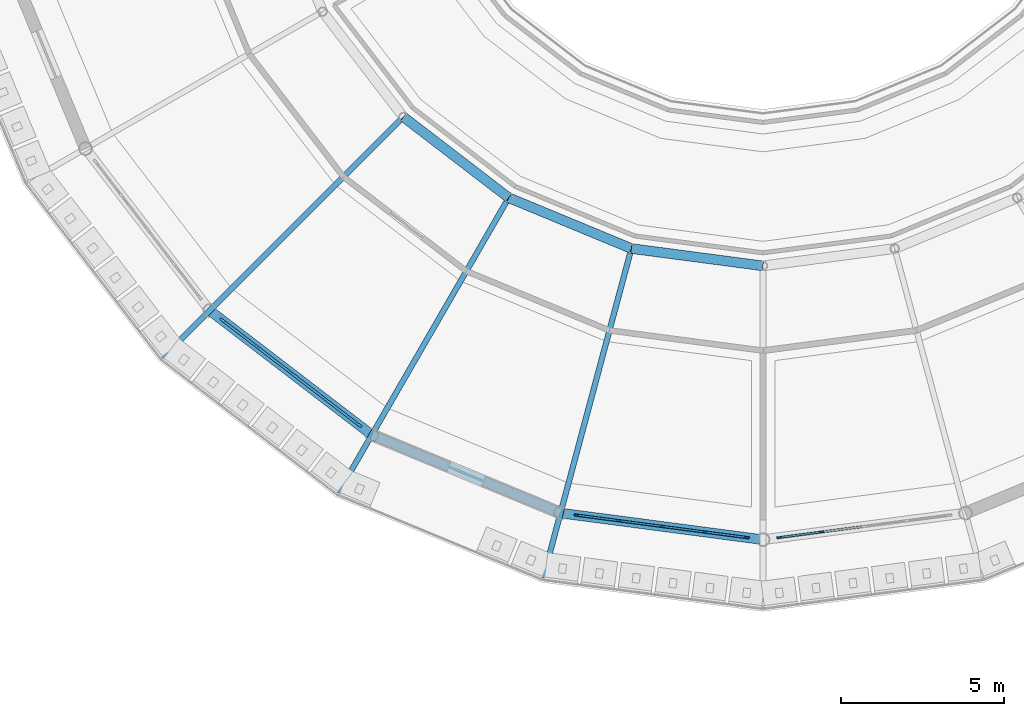
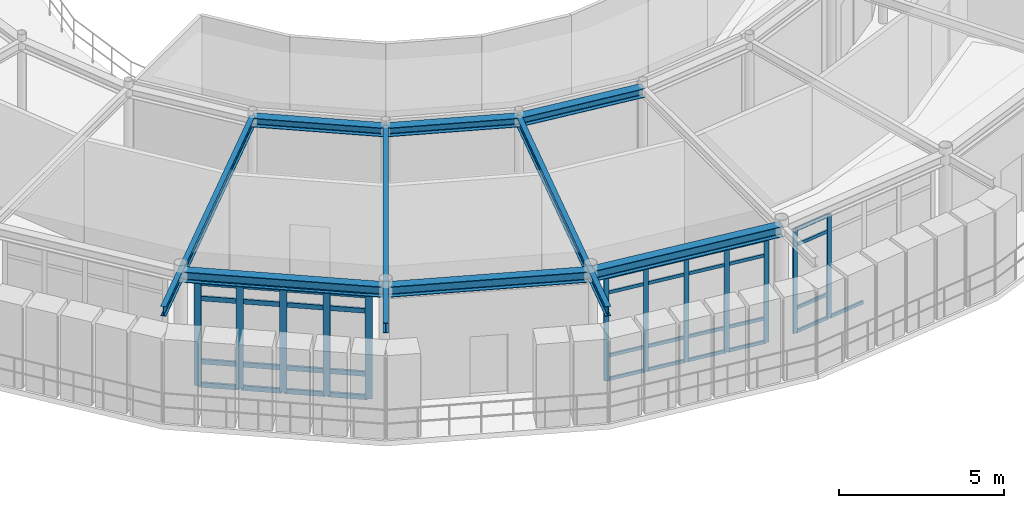
# One storey, part 37 of 106: 49 members, 9 beams, 3 elements without a shape of their own.
"""IFC4 building model written with IfcOpenShell, lengths in metres."""

from ifc_helpers import new_model, si_unit, derived_unit, direction, frame, origin, origin_2d, place, context, subcontext, project, spatial, rectangle, i_section, extrude, material, layer, layer_set, material_profile, profile_set, type_object, element, aggregate, save


model = new_model("IFC4")

# Units and contexts
model_context = context("Model", 3, precision=1e-05, world=origin(), true_north=direction((0.0, 1.0)))
body_context = subcontext(model_context, "Body", "Model", "MODEL_VIEW")
ifc_project = project(units=[si_unit("LENGTHUNIT", "METRE"), si_unit("AREAUNIT", "SQUARE_METRE"), si_unit("VOLUMEUNIT", "CUBIC_METRE"), si_unit("PLANEANGLEUNIT", "RADIAN"), si_unit("MASSUNIT", "GRAM", prefix="KILO"), derived_unit("THERMALTRANSMITTANCEUNIT", [(si_unit("POWERUNIT", "WATT"), 1), (si_unit("AREAUNIT", "SQUARE_METRE"), -1), (si_unit("THERMODYNAMICTEMPERATUREUNIT", "KELVIN"), -1)])], contexts=[model_context])

# Site, building, storey
site_placement = place(None, origin())
site = spatial("IfcSite", under=ifc_project, at=site_placement, CompositionType="ELEMENT")
building_placement = place(site_placement, origin())
building = spatial("IfcBuilding", under=site, at=building_placement, Name="Yasenodar Specialist Clinic", CompositionType="ELEMENT")
storey_placement = place(building_placement, frame((0.0, 0.0, 4.5)))
storey = spatial("IfcBuildingStorey", under=building, at=storey_placement, Name="L01", CompositionType="ELEMENT", Elevation=4.5)

# Beams
ifc_material_1 = material(Name="Steel S355", Category="steel")
ifc_material_profile_1 = material_profile(ifc_material_1, i_section(OverallWidth=0.300048828125, OverallDepth=0.330078125, WebThickness=0.009521484375, FlangeThickness=0.0166015625, FilletRadius=0.027099609375, at=origin_2d()), Name="HEA 340")
ifc_profile_set_1 = profile_set([ifc_material_profile_1], Name="Steel S355")
beam_type_1 = type_object("IfcBeamType", Name="BM-HEA340", PredefinedType="BEAM", material=ifc_profile_set_1)
for number, where, z_axis, x_axis, name in (
    (1, (69.968994140625, 47.76904296875, 4.0849609375), (0.793376657722, -0.608731039936, 0.0), (0.608731039936, 0.793376657722, 0.0), "L01 Drum V1 Inner Ring Beam"),
    (2, (73.199951171875, 45.2900390625, 4.0849609375), (0.92388896868, -0.382660650645, 0.0), (0.382660650645, 0.92388896868, 0.0), "L01 Drum V1 Inner Ring Beam"),
    (3, (76.96240234375, 43.731689453125, 4.0849609375), (0.991439189385, -0.130569268018, 0.0), (0.130569268018, 0.991439189385, 0.0), "L01 Drum V1 Inner Ring Beam"),
):
    element("IfcBeam", number, at=place(storey_placement, frame(where, z_axis=z_axis, x_axis=x_axis)), inside=storey, type_object=beam_type_1, Name=name, PredefinedType="BEAM", context=body_context, shape_type="SweptSolid", body=[
        extrude(i_section(OverallWidth=0.300048828125, OverallDepth=0.330078125, WebThickness=0.009521484375, FlangeThickness=0.0166015625, FilletRadius=0.027099609375, at=origin_2d()), origin(), (0.0, 0.0, 1.0), 4.072509765625),
    ])
ifc_material_profile_2 = material_profile(ifc_material_1, i_section(OverallWidth=0.300048828125, OverallDepth=0.389892578125, WebThickness=0.010986328125, FlangeThickness=0.01904296875, FilletRadius=0.027099609375, at=origin_2d()), Name="HEA 400")
ifc_profile_set_2 = profile_set([ifc_material_profile_2], Name="Steel S355")
beam_type_2 = type_object("IfcBeamType", Name="BM-HEA400", PredefinedType="BEAM", material=ifc_profile_set_2)
beam_1_placement = place(storey_placement, frame((64.029296875, 41.829345703125, 4.054931640625), z_axis=(0.793367971845, -0.608742360322, 0.0), x_axis=(0.608742360322, 0.793367971845, 0.0)))
element("IfcBeam", 4, at=beam_1_placement, inside=storey, type_object=beam_type_2, Name="L01 Drum V1 Perimeter Ring Beam", PredefinedType="BEAM", context=body_context, shape_type="SweptSolid", body=[
    extrude(i_section(OverallWidth=0.300048828125, OverallDepth=0.389892578125, WebThickness=0.010986328125, FlangeThickness=0.01904296875, FilletRadius=0.027099609375, at=origin_2d()), origin(), (0.0, 0.0, 1.0), 6.265380859375),
])
beam_2_placement = place(storey_placement, frame((69.0, 38.015380859375, 4.054931640625), z_axis=(0.9238876519, -0.382663829839, 0.0), x_axis=(0.382663829839, 0.9238876519, 0.0)))
element("IfcBeam", 5, at=beam_2_placement, inside=storey, type_object=beam_type_2, Name="L01 Drum V1 Perimeter Ring Beam", PredefinedType="BEAM", context=body_context, shape_type="SweptSolid", body=[
    extrude(i_section(OverallWidth=0.300048828125, OverallDepth=0.389892578125, WebThickness=0.010986328125, FlangeThickness=0.01904296875, FilletRadius=0.027099609375, at=origin_2d()), origin(), (0.0, 0.0, 1.0), 6.26513671875),
])
beam_3_placement = place(storey_placement, frame((74.788330078125, 35.617919921875, 4.054931640625), z_axis=(0.991443018138, -0.130540192224, 0.0), x_axis=(0.130540192224, 0.991443018138, 0.0)))
element("IfcBeam", 6, at=beam_3_placement, inside=storey, type_object=beam_type_2, Name="L01 Drum V1 Perimeter Ring Beam", PredefinedType="BEAM", context=body_context, shape_type="SweptSolid", body=[
    extrude(i_section(OverallWidth=0.300048828125, OverallDepth=0.389892578125, WebThickness=0.010986328125, FlangeThickness=0.01904296875, FilletRadius=0.027099609375, at=origin_2d()), origin(), (0.0, 0.0, 1.0), 6.265380859375),
])
ifc_material_profile_3 = material_profile(ifc_material_1, i_section(OverallWidth=0.169921875, OverallDepth=0.360107421875, WebThickness=0.008056640625, FlangeThickness=0.0126953125, FilletRadius=0.01806640625, at=origin_2d()), Name="IPE 360")
ifc_profile_set_3 = profile_set([ifc_material_profile_3], Name="Steel S355")
beam_type_3 = type_object("IfcBeamType", Name="BM-IPE360", PredefinedType="BEAM", material=ifc_profile_set_3)
for number, where, z_axis, x_axis, name in (
    (7, (69.968994140625, 47.76904296875, 4.070068359375), (-0.707106781187, -0.707106781187, 0.0), (0.707106781187, -0.707106781187, 0.0), "L01 Drum V1 Radial Back-Spanned Cantilever Beam"),
    (8, (73.199951171875, 45.2900390625, 4.070068359375), (-0.499986032603, -0.866033467715, 0.0), (0.866033467715, -0.499986032603, 0.0), "L01 Drum V1 Radial Back-Spanned Cantilever Beam"),
    (9, (76.96240234375, 43.731689453125, 4.070068359375), (-0.258811211874, -0.965927925162, 0.0), (0.965927925162, -0.258811211874, 0.0), "L01 Drum V1 Radial Back-Spanned Cantilever Beam"),
):
    element("IfcBeam", number, at=place(storey_placement, frame(where, z_axis=z_axis, x_axis=x_axis)), inside=storey, type_object=beam_type_3, Name=name, PredefinedType="BEAM", context=body_context, shape_type="SweptSolid", body=[
        extrude(i_section(OverallWidth=0.169921875, OverallDepth=0.360107421875, WebThickness=0.008056640625, FlangeThickness=0.0126953125, FilletRadius=0.01806640625, at=origin_2d()), origin(), (0.0, 0.0, 1.0), 10.449951171875),
    ])

# Curtain wall, members
ifc_material_2 = material(Name="Bronze Anodized Aluminium and Triple Low-E Glass", Category="aluminium")
ifc_layer = layer(ifc_material_2, 0.1669921875)
ifc_layer_set = layer_set([ifc_layer], Name="Bronze Anodized Aluminium and Triple Low-E Glass")
curtain_wall_type = type_object("IfcCurtainWallType", Name="CW-SYS-01", PredefinedType="USERDEFINED", material=ifc_layer_set)
curtain_wall_1_placement = place(storey_placement, origin())
curtain_wall_1 = element("IfcCurtainWall", 10, at=curtain_wall_1_placement, inside=storey, type_object=curtain_wall_type, Name="L01 Unitised Curtain Wall 021", ObjectType="UNITISED CURTAIN WALL", PredefinedType="USERDEFINED")
ifc_material_3 = material(Name="Bronze Anodized Aluminium", Category="aluminium")
ifc_material_profile_4 = material_profile(ifc_material_3, rectangle(XDim=0.06005859375, YDim=0.159912109375, at=origin_2d()), Name="CW-MULL 60x160")
ifc_profile_set_4 = profile_set([ifc_material_profile_4], Name="Bronze Anodized Aluminium")
member_type_1 = type_object("IfcMemberType", Name="CW-MULL-160", PredefinedType="MULLION", material=ifc_profile_set_4)
member_1_placement = place(storey_placement, frame((80.494384765625, 34.86669921875, 0.0), z_axis=(0.0, 0.0, 1.0), x_axis=(-0.13051156024, -0.991446787601, 0.0)))
member_1 = element("IfcMember", 11, at=member_1_placement, type_object=member_type_1, Name="CW-01 mullion 1", PredefinedType="MULLION", context=body_context, shape_type="SweptSolid", body=[
    extrude(rectangle(XDim=0.06005859375, YDim=0.159912109375, at=origin_2d()), origin(), (0.0, 0.0, 1.0), 3.837890625),
])
member_2_placement = place(storey_placement, frame((79.209228515625, 35.035888671875, 0.0), z_axis=(0.0, 0.0, 1.0), x_axis=(-0.13051156024, -0.991446787601, 0.0)))
member_2 = element("IfcMember", 12, at=member_2_placement, type_object=member_type_1, Name="CW-01 mullion 2", PredefinedType="MULLION", context=body_context, shape_type="SweptSolid", body=[
    extrude(rectangle(XDim=0.06005859375, YDim=0.159912109375, at=origin_2d()), origin(), (0.0, 0.0, 1.0), 3.837890625),
])
member_3_placement = place(storey_placement, frame((77.89404296875, 35.208984375, 0.0), z_axis=(0.0, 0.0, 1.0), x_axis=(-0.13051156024, -0.991446787601, 0.0)))
member_3 = element("IfcMember", 13, at=member_3_placement, type_object=member_type_1, Name="CW-01 mullion 3", PredefinedType="MULLION", context=body_context, shape_type="SweptSolid", body=[
    extrude(rectangle(XDim=0.06005859375, YDim=0.159912109375, at=origin_2d()), origin(), (0.0, 0.0, 1.0), 3.837890625),
])
member_4_placement = place(storey_placement, frame((76.5791015625, 35.382080078125, 0.0), z_axis=(0.0, 0.0, 1.0), x_axis=(-0.13051156024, -0.991446787601, 0.0)))
member_4 = element("IfcMember", 14, at=member_4_placement, type_object=member_type_1, Name="CW-01 mullion 4", PredefinedType="MULLION", context=body_context, shape_type="SweptSolid", body=[
    extrude(rectangle(XDim=0.06005859375, YDim=0.159912109375, at=origin_2d()), origin(), (0.0, 0.0, 1.0), 3.837890625),
])
member_5_placement = place(storey_placement, frame((75.2939453125, 35.55126953125, 0.0), z_axis=(0.0, 0.0, 1.0), x_axis=(-0.13051156024, -0.991446787601, 0.0)))
member_5 = element("IfcMember", 15, at=member_5_placement, type_object=member_type_1, Name="CW-01 mullion 5", PredefinedType="MULLION", context=body_context, shape_type="SweptSolid", body=[
    extrude(rectangle(XDim=0.06005859375, YDim=0.159912109375, at=origin_2d()), origin(), (0.0, 0.0, 1.0), 3.837890625),
])

curtain_wall_2_placement = place(storey_placement, origin())
curtain_wall_2 = element("IfcCurtainWall", 16, at=curtain_wall_2_placement, inside=storey, type_object=curtain_wall_type, Name="L01 Unitised Curtain Wall 022", ObjectType="UNITISED CURTAIN WALL", PredefinedType="USERDEFINED")
member_6_placement = place(storey_placement, frame((82.790771484375, 35.035888671875, 0.0), z_axis=(0.0, 0.0, 1.0), x_axis=(0.13051156024, -0.991446787601, 0.0)))
member_6 = element("IfcMember", 17, at=member_6_placement, type_object=member_type_1, Name="CW-01 mullion 4", PredefinedType="MULLION", context=body_context, shape_type="SweptSolid", body=[
    extrude(rectangle(XDim=0.06005859375, YDim=0.159912109375, at=origin_2d()), origin(), (0.0, 0.0, 1.0), 3.837890625),
])
member_7_placement = place(storey_placement, frame((81.505615234375, 34.86669921875, 0.0), z_axis=(0.0, 0.0, 1.0), x_axis=(0.13051156024, -0.991446787601, 0.0)))
member_7 = element("IfcMember", 18, at=member_7_placement, type_object=member_type_1, Name="CW-01 mullion 5", PredefinedType="MULLION", context=body_context, shape_type="SweptSolid", body=[
    extrude(rectangle(XDim=0.06005859375, YDim=0.159912109375, at=origin_2d()), origin(), (0.0, 0.0, 1.0), 3.837890625),
])

curtain_wall_3_placement = place(storey_placement, origin())
curtain_wall_3 = element("IfcCurtainWall", 19, at=curtain_wall_3_placement, inside=storey, type_object=curtain_wall_type, Name="L01 Unitised Curtain Wall 020", ObjectType="UNITISED CURTAIN WALL", PredefinedType="USERDEFINED")
ifc_material_profile_5 = material_profile(ifc_material_3, rectangle(XDim=0.074951171875, YDim=0.22509765625, at=origin_2d()), Name="CW-MULL 75x225")
ifc_profile_set_5 = profile_set([ifc_material_profile_5], Name="Bronze Anodized Aluminium")
member_type_2 = type_object("IfcMemberType", Name="CW-MULL-225", PredefinedType="MULLION", material=ifc_profile_set_5)
member_8_placement = place(storey_placement, frame((68.58935546875, 38.330322265625, 0.0), z_axis=(0.0, 0.0, 1.0), x_axis=(-0.608752021844, -0.793360558574, 0.0)))
member_8 = element("IfcMember", 20, at=member_8_placement, type_object=member_type_2, Name="CW-01 mullion 1", PredefinedType="MULLION", context=body_context, shape_type="SweptSolid", body=[
    extrude(rectangle(XDim=0.074951171875, YDim=0.22509765625, at=origin_2d()), origin(), (0.0, 0.0, 1.0), 3.837890625),
])
member_9_placement = place(storey_placement, frame((67.56689453125, 39.114990234375, 0.0), z_axis=(0.0, 0.0, 1.0), x_axis=(-0.608752021844, -0.793360558574, 0.0)))
member_9 = element("IfcMember", 21, at=member_9_placement, type_object=member_type_2, Name="CW-01 mullion 2", PredefinedType="MULLION", context=body_context, shape_type="SweptSolid", body=[
    extrude(rectangle(XDim=0.074951171875, YDim=0.22509765625, at=origin_2d()), origin(), (0.0, 0.0, 1.0), 3.837890625),
])
member_10_placement = place(storey_placement, frame((66.5146484375, 39.92236328125, 0.0), z_axis=(0.0, 0.0, 1.0), x_axis=(-0.608752021844, -0.793360558574, 0.0)))
member_10 = element("IfcMember", 22, at=member_10_placement, type_object=member_type_2, Name="CW-01 mullion 3", PredefinedType="MULLION", context=body_context, shape_type="SweptSolid", body=[
    extrude(rectangle(XDim=0.074951171875, YDim=0.22509765625, at=origin_2d()), origin(), (0.0, 0.0, 1.0), 3.837890625),
])
member_11_placement = place(storey_placement, frame((65.46240234375, 40.729736328125, 0.0), z_axis=(0.0, 0.0, 1.0), x_axis=(-0.608752021844, -0.793360558574, 0.0)))
member_11 = element("IfcMember", 23, at=member_11_placement, type_object=member_type_2, Name="CW-01 mullion 4", PredefinedType="MULLION", context=body_context, shape_type="SweptSolid", body=[
    extrude(rectangle(XDim=0.074951171875, YDim=0.22509765625, at=origin_2d()), origin(), (0.0, 0.0, 1.0), 3.837890625),
])
member_12_placement = place(storey_placement, frame((64.43994140625, 41.514404296875, 0.0), z_axis=(0.0, 0.0, 1.0), x_axis=(-0.608752021844, -0.793360558574, 0.0)))
member_12 = element("IfcMember", 24, at=member_12_placement, type_object=member_type_2, Name="CW-01 mullion 5", PredefinedType="MULLION", context=body_context, shape_type="SweptSolid", body=[
    extrude(rectangle(XDim=0.074951171875, YDim=0.22509765625, at=origin_2d()), origin(), (0.0, 0.0, 1.0), 3.837890625),
])

# Member
ifc_material_profile_6 = material_profile(ifc_material_3, rectangle(XDim=0.06005859375, YDim=0.1201171875, at=origin_2d()), Name="CW-TRAN 60x120")
ifc_profile_set_6 = profile_set([ifc_material_profile_6], Name="Bronze Anodized Aluminium")
member_type_3 = type_object("IfcMemberType", Name="CW-TRAN-120", PredefinedType="USERDEFINED", material=ifc_profile_set_6)
member_13_placement = place(storey_placement, frame((80.464599609375, 34.87060546875, 0.030029296875), z_axis=(-0.99144555616, 0.130520914683, 0.0), x_axis=(-0.130520914683, -0.99144555616, 0.0)))
member_13 = element("IfcMember", 25, at=member_13_placement, type_object=member_type_3, Name="CW-01 transom 1.1", ObjectType="TRANSOM", PredefinedType="USERDEFINED", context=body_context, shape_type="SweptSolid", body=[
    extrude(rectangle(XDim=0.06005859375, YDim=0.1201171875, at=origin_2d()), origin(), (0.0, 0.0, 1.0), 1.236328125),
])

member_14_placement = place(storey_placement, frame((80.464599609375, 34.87060546875, 0.89990234375), z_axis=(-0.99144555616, 0.130520914683, 0.0), x_axis=(-0.130520914683, -0.99144555616, 0.0)))
member_14 = element("IfcMember", 26, at=member_14_placement, type_object=member_type_3, Name="CW-01 transom 1.2", ObjectType="TRANSOM", PredefinedType="USERDEFINED", context=body_context, shape_type="SweptSolid", body=[
    extrude(rectangle(XDim=0.06005859375, YDim=0.1201171875, at=origin_2d()), origin(), (0.0, 0.0, 1.0), 1.236328125),
])

member_15_placement = place(storey_placement, frame((80.464599609375, 34.87060546875, 3.238037109375), z_axis=(-0.99144555616, 0.130520914683, 0.0), x_axis=(-0.130520914683, -0.99144555616, 0.0)))
member_15 = element("IfcMember", 27, at=member_15_placement, type_object=member_type_3, Name="CW-01 transom 1.3", ObjectType="TRANSOM", PredefinedType="USERDEFINED", context=body_context, shape_type="SweptSolid", body=[
    extrude(rectangle(XDim=0.06005859375, YDim=0.1201171875, at=origin_2d()), origin(), (0.0, 0.0, 1.0), 1.236328125),
])

member_16_placement = place(storey_placement, frame((80.464599609375, 34.87060546875, 3.80810546875), z_axis=(-0.99144555616, 0.130520914683, 0.0), x_axis=(-0.130520914683, -0.99144555616, 0.0)))
member_16 = element("IfcMember", 28, at=member_16_placement, type_object=member_type_3, Name="CW-01 transom 1.4", ObjectType="TRANSOM", PredefinedType="USERDEFINED", context=body_context, shape_type="SweptSolid", body=[
    extrude(rectangle(XDim=0.06005859375, YDim=0.1201171875, at=origin_2d()), origin(), (0.0, 0.0, 1.0), 1.236328125),
])

member_17_placement = place(storey_placement, frame((79.179443359375, 35.039794921875, 0.030029296875), z_axis=(-0.991447076407, 0.13050936627, 0.0), x_axis=(-0.13050936627, -0.991447076407, 0.0)))
member_17 = element("IfcMember", 29, at=member_17_placement, type_object=member_type_3, Name="CW-01 transom 2.1", ObjectType="TRANSOM", PredefinedType="USERDEFINED", context=body_context, shape_type="SweptSolid", body=[
    extrude(rectangle(XDim=0.06005859375, YDim=0.1201171875, at=origin_2d()), origin(), (0.0, 0.0, 1.0), 1.266357421875),
])

member_18_placement = place(storey_placement, frame((79.179443359375, 35.039794921875, 0.89990234375), z_axis=(-0.991447076407, 0.13050936627, 0.0), x_axis=(-0.13050936627, -0.991447076407, 0.0)))
member_18 = element("IfcMember", 30, at=member_18_placement, type_object=member_type_3, Name="CW-01 transom 2.2", ObjectType="TRANSOM", PredefinedType="USERDEFINED", context=body_context, shape_type="SweptSolid", body=[
    extrude(rectangle(XDim=0.06005859375, YDim=0.1201171875, at=origin_2d()), origin(), (0.0, 0.0, 1.0), 1.266357421875),
])

member_19_placement = place(storey_placement, frame((79.179443359375, 35.039794921875, 3.238037109375), z_axis=(-0.991447076407, 0.13050936627, 0.0), x_axis=(-0.13050936627, -0.991447076407, 0.0)))
member_19 = element("IfcMember", 31, at=member_19_placement, type_object=member_type_3, Name="CW-01 transom 2.3", ObjectType="TRANSOM", PredefinedType="USERDEFINED", context=body_context, shape_type="SweptSolid", body=[
    extrude(rectangle(XDim=0.06005859375, YDim=0.1201171875, at=origin_2d()), origin(), (0.0, 0.0, 1.0), 1.266357421875),
])

member_20_placement = place(storey_placement, frame((79.179443359375, 35.039794921875, 3.80810546875), z_axis=(-0.991447076407, 0.13050936627, 0.0), x_axis=(-0.13050936627, -0.991447076407, 0.0)))
member_20 = element("IfcMember", 32, at=member_20_placement, type_object=member_type_3, Name="CW-01 transom 2.4", ObjectType="TRANSOM", PredefinedType="USERDEFINED", context=body_context, shape_type="SweptSolid", body=[
    extrude(rectangle(XDim=0.06005859375, YDim=0.1201171875, at=origin_2d()), origin(), (0.0, 0.0, 1.0), 1.266357421875),
])

member_21_placement = place(storey_placement, frame((77.864501953125, 35.212890625, 0.030029296875), z_axis=(-0.991447076407, 0.13050936627, 0.0), x_axis=(-0.13050936627, -0.991447076407, 0.0)))
member_21 = element("IfcMember", 33, at=member_21_placement, type_object=member_type_3, Name="CW-01 transom 3.1", ObjectType="TRANSOM", PredefinedType="USERDEFINED", context=body_context, shape_type="SweptSolid", body=[
    extrude(rectangle(XDim=0.06005859375, YDim=0.1201171875, at=origin_2d()), origin(), (0.0, 0.0, 1.0), 1.266357421875),
])

member_22_placement = place(storey_placement, frame((77.864501953125, 35.212890625, 0.89990234375), z_axis=(-0.991447076407, 0.13050936627, 0.0), x_axis=(-0.13050936627, -0.991447076407, 0.0)))
member_22 = element("IfcMember", 34, at=member_22_placement, type_object=member_type_3, Name="CW-01 transom 3.2", ObjectType="TRANSOM", PredefinedType="USERDEFINED", context=body_context, shape_type="SweptSolid", body=[
    extrude(rectangle(XDim=0.06005859375, YDim=0.1201171875, at=origin_2d()), origin(), (0.0, 0.0, 1.0), 1.266357421875),
])

member_23_placement = place(storey_placement, frame((77.864501953125, 35.212890625, 3.238037109375), z_axis=(-0.991447076407, 0.13050936627, 0.0), x_axis=(-0.13050936627, -0.991447076407, 0.0)))
member_23 = element("IfcMember", 35, at=member_23_placement, type_object=member_type_3, Name="CW-01 transom 3.3", ObjectType="TRANSOM", PredefinedType="USERDEFINED", context=body_context, shape_type="SweptSolid", body=[
    extrude(rectangle(XDim=0.06005859375, YDim=0.1201171875, at=origin_2d()), origin(), (0.0, 0.0, 1.0), 1.266357421875),
])

member_24_placement = place(storey_placement, frame((77.864501953125, 35.212890625, 3.80810546875), z_axis=(-0.991447076407, 0.13050936627, 0.0), x_axis=(-0.13050936627, -0.991447076407, 0.0)))
member_24 = element("IfcMember", 36, at=member_24_placement, type_object=member_type_3, Name="CW-01 transom 3.4", ObjectType="TRANSOM", PredefinedType="USERDEFINED", context=body_context, shape_type="SweptSolid", body=[
    extrude(rectangle(XDim=0.06005859375, YDim=0.1201171875, at=origin_2d()), origin(), (0.0, 0.0, 1.0), 1.266357421875),
])

member_25_placement = place(storey_placement, frame((76.54931640625, 35.385986328125, 0.030029296875), z_axis=(-0.991442191305, 0.130546471803, 0.0), x_axis=(-0.130546471803, -0.991442191305, 0.0)))
member_25 = element("IfcMember", 37, at=member_25_placement, type_object=member_type_3, Name="CW-01 transom 4.1", ObjectType="TRANSOM", PredefinedType="USERDEFINED", context=body_context, shape_type="SweptSolid", body=[
    extrude(rectangle(XDim=0.06005859375, YDim=0.1201171875, at=origin_2d()), origin(), (0.0, 0.0, 1.0), 1.236083984375),
])

member_26_placement = place(storey_placement, frame((76.54931640625, 35.385986328125, 0.89990234375), z_axis=(-0.991442191305, 0.130546471803, 0.0), x_axis=(-0.130546471803, -0.991442191305, 0.0)))
member_26 = element("IfcMember", 38, at=member_26_placement, type_object=member_type_3, Name="CW-01 transom 4.2", ObjectType="TRANSOM", PredefinedType="USERDEFINED", context=body_context, shape_type="SweptSolid", body=[
    extrude(rectangle(XDim=0.06005859375, YDim=0.1201171875, at=origin_2d()), origin(), (0.0, 0.0, 1.0), 1.236083984375),
])

member_27_placement = place(storey_placement, frame((76.54931640625, 35.385986328125, 3.238037109375), z_axis=(-0.991442191305, 0.130546471803, 0.0), x_axis=(-0.130546471803, -0.991442191305, 0.0)))
member_27 = element("IfcMember", 39, at=member_27_placement, type_object=member_type_3, Name="CW-01 transom 4.3", ObjectType="TRANSOM", PredefinedType="USERDEFINED", context=body_context, shape_type="SweptSolid", body=[
    extrude(rectangle(XDim=0.06005859375, YDim=0.1201171875, at=origin_2d()), origin(), (0.0, 0.0, 1.0), 1.236083984375),
])

member_28_placement = place(storey_placement, frame((76.54931640625, 35.385986328125, 3.80810546875), z_axis=(-0.991442191305, 0.130546471803, 0.0), x_axis=(-0.130546471803, -0.991442191305, 0.0)))
member_28 = element("IfcMember", 40, at=member_28_placement, type_object=member_type_3, Name="CW-01 transom 4.4", ObjectType="TRANSOM", PredefinedType="USERDEFINED", context=body_context, shape_type="SweptSolid", body=[
    extrude(rectangle(XDim=0.06005859375, YDim=0.1201171875, at=origin_2d()), origin(), (0.0, 0.0, 1.0), 1.236083984375),
])

aggregate(curtain_wall_1, [member_1, member_2, member_3, member_4, member_5, member_13, member_14, member_15, member_16, member_17, member_18, member_19, member_20, member_21, member_22, member_23, member_24, member_25, member_26, member_27, member_28])

member_29_placement = place(storey_placement, frame((84.076171875, 35.205078125, 0.030029296875), z_axis=(-0.991447076407, -0.13050936627, 0.0), x_axis=(0.13050936627, -0.991447076407, 0.0)))
member_29 = element("IfcMember", 41, at=member_29_placement, type_object=member_type_3, Name="CW-01 transom 3.1", ObjectType="TRANSOM", PredefinedType="USERDEFINED", context=body_context, shape_type="SweptSolid", body=[
    extrude(rectangle(XDim=0.06005859375, YDim=0.1201171875, at=origin_2d()), origin(), (0.0, 0.0, 1.0), 1.266357421875),
])

member_30_placement = place(storey_placement, frame((82.76123046875, 35.031982421875, 0.030029296875), z_axis=(-0.99144555616, -0.130520914683, 0.0), x_axis=(0.130520914683, -0.99144555616, 0.0)))
member_30 = element("IfcMember", 42, at=member_30_placement, type_object=member_type_3, Name="CW-01 transom 4.1", ObjectType="TRANSOM", PredefinedType="USERDEFINED", context=body_context, shape_type="SweptSolid", body=[
    extrude(rectangle(XDim=0.06005859375, YDim=0.1201171875, at=origin_2d()), origin(), (0.0, 0.0, 1.0), 1.236328125),
])

member_31_placement = place(storey_placement, frame((82.76123046875, 35.031982421875, 0.89990234375), z_axis=(-0.99144555616, -0.130520914683, 0.0), x_axis=(0.130520914683, -0.99144555616, 0.0)))
member_31 = element("IfcMember", 43, at=member_31_placement, type_object=member_type_3, Name="CW-01 transom 4.2", ObjectType="TRANSOM", PredefinedType="USERDEFINED", context=body_context, shape_type="SweptSolid", body=[
    extrude(rectangle(XDim=0.06005859375, YDim=0.1201171875, at=origin_2d()), origin(), (0.0, 0.0, 1.0), 1.236328125),
])

member_32_placement = place(storey_placement, frame((82.76123046875, 35.031982421875, 3.238037109375), z_axis=(-0.99144555616, -0.130520914683, 0.0), x_axis=(0.130520914683, -0.99144555616, 0.0)))
member_32 = element("IfcMember", 44, at=member_32_placement, type_object=member_type_3, Name="CW-01 transom 4.3", ObjectType="TRANSOM", PredefinedType="USERDEFINED", context=body_context, shape_type="SweptSolid", body=[
    extrude(rectangle(XDim=0.06005859375, YDim=0.1201171875, at=origin_2d()), origin(), (0.0, 0.0, 1.0), 1.236328125),
])

member_33_placement = place(storey_placement, frame((82.76123046875, 35.031982421875, 3.80810546875), z_axis=(-0.99144555616, -0.130520914683, 0.0), x_axis=(0.130520914683, -0.99144555616, 0.0)))
member_33 = element("IfcMember", 45, at=member_33_placement, type_object=member_type_3, Name="CW-01 transom 4.4", ObjectType="TRANSOM", PredefinedType="USERDEFINED", context=body_context, shape_type="SweptSolid", body=[
    extrude(rectangle(XDim=0.06005859375, YDim=0.1201171875, at=origin_2d()), origin(), (0.0, 0.0, 1.0), 1.236328125),
])

aggregate(curtain_wall_2, [member_6, member_7, member_29, member_30, member_31, member_32, member_33])

ifc_material_profile_7 = material_profile(ifc_material_3, rectangle(XDim=0.074951171875, YDim=0.175048828125, at=origin_2d()), Name="CW-TRAN 75x175")
ifc_profile_set_7 = profile_set([ifc_material_profile_7], Name="Bronze Anodized Aluminium")
member_type_4 = type_object("IfcMemberType", Name="CW-TRAN-175", PredefinedType="USERDEFINED", material=ifc_profile_set_7)
member_34_placement = place(storey_placement, frame((68.559814453125, 38.353271484375, 0.03759765625), z_axis=(-0.793363535343, 0.608748142328, 0.0), x_axis=(-0.608748142328, -0.793363535343, 0.0)))
member_34 = element("IfcMember", 46, at=member_34_placement, type_object=member_type_4, Name="CW-01 transom 1.1", ObjectType="TRANSOM", PredefinedType="USERDEFINED", context=body_context, shape_type="SweptSolid", body=[
    extrude(rectangle(XDim=0.074951171875, YDim=0.175048828125, at=origin_2d()), origin(), (0.0, 0.0, 1.0), 1.2138671875),
])

member_35_placement = place(storey_placement, frame((68.559814453125, 38.353271484375, 0.89990234375), z_axis=(-0.793363535343, 0.608748142328, 0.0), x_axis=(-0.608748142328, -0.793363535343, 0.0)))
member_35 = element("IfcMember", 47, at=member_35_placement, type_object=member_type_4, Name="CW-01 transom 1.2", ObjectType="TRANSOM", PredefinedType="USERDEFINED", context=body_context, shape_type="SweptSolid", body=[
    extrude(rectangle(XDim=0.074951171875, YDim=0.175048828125, at=origin_2d()), origin(), (0.0, 0.0, 1.0), 1.2138671875),
])

member_36_placement = place(storey_placement, frame((68.559814453125, 38.353271484375, 3.238037109375), z_axis=(-0.793363535343, 0.608748142328, 0.0), x_axis=(-0.608748142328, -0.793363535343, 0.0)))
member_36 = element("IfcMember", 48, at=member_36_placement, type_object=member_type_4, Name="CW-01 transom 1.3", ObjectType="TRANSOM", PredefinedType="USERDEFINED", context=body_context, shape_type="SweptSolid", body=[
    extrude(rectangle(XDim=0.074951171875, YDim=0.175048828125, at=origin_2d()), origin(), (0.0, 0.0, 1.0), 1.2138671875),
])

member_37_placement = place(storey_placement, frame((68.559814453125, 38.353271484375, 3.800537109375), z_axis=(-0.793363535343, 0.608748142328, 0.0), x_axis=(-0.608748142328, -0.793363535343, 0.0)))
member_37 = element("IfcMember", 49, at=member_37_placement, type_object=member_type_4, Name="CW-01 transom 1.4", ObjectType="TRANSOM", PredefinedType="USERDEFINED", context=body_context, shape_type="SweptSolid", body=[
    extrude(rectangle(XDim=0.074951171875, YDim=0.175048828125, at=origin_2d()), origin(), (0.0, 0.0, 1.0), 1.2138671875),
])

member_38_placement = place(storey_placement, frame((67.537109375, 39.137939453125, 0.03759765625), z_axis=(-0.79334877301, 0.608767381159, 0.0), x_axis=(-0.608767381159, -0.79334877301, 0.0)))
member_38 = element("IfcMember", 50, at=member_38_placement, type_object=member_type_4, Name="CW-01 transom 2.1", ObjectType="TRANSOM", PredefinedType="USERDEFINED", context=body_context, shape_type="SweptSolid", body=[
    extrude(rectangle(XDim=0.074951171875, YDim=0.175048828125, at=origin_2d()), origin(), (0.0, 0.0, 1.0), 1.251220703125),
])

member_39_placement = place(storey_placement, frame((67.537109375, 39.137939453125, 0.89990234375), z_axis=(-0.79334877301, 0.608767381159, 0.0), x_axis=(-0.608767381159, -0.79334877301, 0.0)))
member_39 = element("IfcMember", 51, at=member_39_placement, type_object=member_type_4, Name="CW-01 transom 2.2", ObjectType="TRANSOM", PredefinedType="USERDEFINED", context=body_context, shape_type="SweptSolid", body=[
    extrude(rectangle(XDim=0.074951171875, YDim=0.175048828125, at=origin_2d()), origin(), (0.0, 0.0, 1.0), 1.251220703125),
])

member_40_placement = place(storey_placement, frame((67.537109375, 39.137939453125, 3.238037109375), z_axis=(-0.79334877301, 0.608767381159, 0.0), x_axis=(-0.608767381159, -0.79334877301, 0.0)))
member_40 = element("IfcMember", 52, at=member_40_placement, type_object=member_type_4, Name="CW-01 transom 2.3", ObjectType="TRANSOM", PredefinedType="USERDEFINED", context=body_context, shape_type="SweptSolid", body=[
    extrude(rectangle(XDim=0.074951171875, YDim=0.175048828125, at=origin_2d()), origin(), (0.0, 0.0, 1.0), 1.251220703125),
])

member_41_placement = place(storey_placement, frame((67.537109375, 39.137939453125, 3.800537109375), z_axis=(-0.79334877301, 0.608767381159, 0.0), x_axis=(-0.608767381159, -0.79334877301, 0.0)))
member_41 = element("IfcMember", 53, at=member_41_placement, type_object=member_type_4, Name="CW-01 transom 2.4", ObjectType="TRANSOM", PredefinedType="USERDEFINED", context=body_context, shape_type="SweptSolid", body=[
    extrude(rectangle(XDim=0.074951171875, YDim=0.175048828125, at=origin_2d()), origin(), (0.0, 0.0, 1.0), 1.251220703125),
])

member_42_placement = place(storey_placement, frame((66.48486328125, 39.9453125, 0.03759765625), z_axis=(-0.79334877301, 0.608767381159, 0.0), x_axis=(-0.608767381159, -0.79334877301, 0.0)))
member_42 = element("IfcMember", 54, at=member_42_placement, type_object=member_type_4, Name="CW-01 transom 3.1", ObjectType="TRANSOM", PredefinedType="USERDEFINED", context=body_context, shape_type="SweptSolid", body=[
    extrude(rectangle(XDim=0.074951171875, YDim=0.175048828125, at=origin_2d()), origin(), (0.0, 0.0, 1.0), 1.251220703125),
])

member_43_placement = place(storey_placement, frame((66.48486328125, 39.9453125, 0.89990234375), z_axis=(-0.79334877301, 0.608767381159, 0.0), x_axis=(-0.608767381159, -0.79334877301, 0.0)))
member_43 = element("IfcMember", 55, at=member_43_placement, type_object=member_type_4, Name="CW-01 transom 3.2", ObjectType="TRANSOM", PredefinedType="USERDEFINED", context=body_context, shape_type="SweptSolid", body=[
    extrude(rectangle(XDim=0.074951171875, YDim=0.175048828125, at=origin_2d()), origin(), (0.0, 0.0, 1.0), 1.251220703125),
])

member_44_placement = place(storey_placement, frame((66.48486328125, 39.9453125, 3.238037109375), z_axis=(-0.79334877301, 0.608767381159, 0.0), x_axis=(-0.608767381159, -0.79334877301, 0.0)))
member_44 = element("IfcMember", 56, at=member_44_placement, type_object=member_type_4, Name="CW-01 transom 3.3", ObjectType="TRANSOM", PredefinedType="USERDEFINED", context=body_context, shape_type="SweptSolid", body=[
    extrude(rectangle(XDim=0.074951171875, YDim=0.175048828125, at=origin_2d()), origin(), (0.0, 0.0, 1.0), 1.251220703125),
])

member_45_placement = place(storey_placement, frame((66.48486328125, 39.9453125, 3.800537109375), z_axis=(-0.79334877301, 0.608767381159, 0.0), x_axis=(-0.608767381159, -0.79334877301, 0.0)))
member_45 = element("IfcMember", 57, at=member_45_placement, type_object=member_type_4, Name="CW-01 transom 3.4", ObjectType="TRANSOM", PredefinedType="USERDEFINED", context=body_context, shape_type="SweptSolid", body=[
    extrude(rectangle(XDim=0.074951171875, YDim=0.175048828125, at=origin_2d()), origin(), (0.0, 0.0, 1.0), 1.251220703125),
])

member_46_placement = place(storey_placement, frame((65.4326171875, 40.752685546875, 0.03759765625), z_axis=(-0.793386142334, 0.60871867817, 0.0), x_axis=(-0.60871867817, -0.793386142334, 0.0)))
member_46 = element("IfcMember", 58, at=member_46_placement, type_object=member_type_4, Name="CW-01 transom 4.1", ObjectType="TRANSOM", PredefinedType="USERDEFINED", context=body_context, shape_type="SweptSolid", body=[
    extrude(rectangle(XDim=0.074951171875, YDim=0.175048828125, at=origin_2d()), origin(), (0.0, 0.0, 1.0), 1.213623046875),
])

member_47_placement = place(storey_placement, frame((65.4326171875, 40.752685546875, 0.89990234375), z_axis=(-0.793386142334, 0.60871867817, 0.0), x_axis=(-0.60871867817, -0.793386142334, 0.0)))
member_47 = element("IfcMember", 59, at=member_47_placement, type_object=member_type_4, Name="CW-01 transom 4.2", ObjectType="TRANSOM", PredefinedType="USERDEFINED", context=body_context, shape_type="SweptSolid", body=[
    extrude(rectangle(XDim=0.074951171875, YDim=0.175048828125, at=origin_2d()), origin(), (0.0, 0.0, 1.0), 1.213623046875),
])

member_48_placement = place(storey_placement, frame((65.4326171875, 40.752685546875, 3.238037109375), z_axis=(-0.793386142334, 0.60871867817, 0.0), x_axis=(-0.60871867817, -0.793386142334, 0.0)))
member_48 = element("IfcMember", 60, at=member_48_placement, type_object=member_type_4, Name="CW-01 transom 4.3", ObjectType="TRANSOM", PredefinedType="USERDEFINED", context=body_context, shape_type="SweptSolid", body=[
    extrude(rectangle(XDim=0.074951171875, YDim=0.175048828125, at=origin_2d()), origin(), (0.0, 0.0, 1.0), 1.213623046875),
])

member_49_placement = place(storey_placement, frame((65.4326171875, 40.752685546875, 3.800537109375), z_axis=(-0.793386142334, 0.60871867817, 0.0), x_axis=(-0.60871867817, -0.793386142334, 0.0)))
member_49 = element("IfcMember", 61, at=member_49_placement, type_object=member_type_4, Name="CW-01 transom 4.4", ObjectType="TRANSOM", PredefinedType="USERDEFINED", context=body_context, shape_type="SweptSolid", body=[
    extrude(rectangle(XDim=0.074951171875, YDim=0.175048828125, at=origin_2d()), origin(), (0.0, 0.0, 1.0), 1.213623046875),
])

aggregate(curtain_wall_3, [member_8, member_9, member_10, member_11, member_12, member_34, member_35, member_36, member_37, member_38, member_39, member_40, member_41, member_42, member_43, member_44, member_45, member_46, member_47, member_48, member_49])

save(model, "model.ifc")
